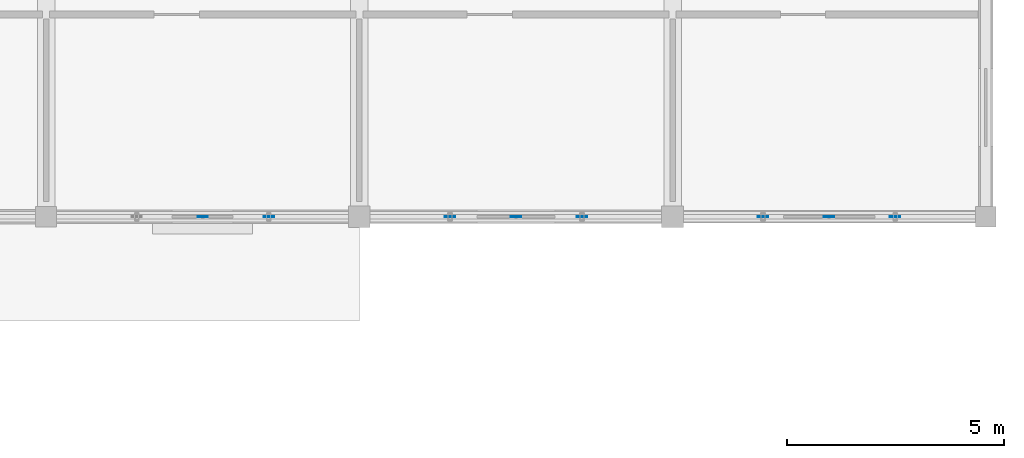
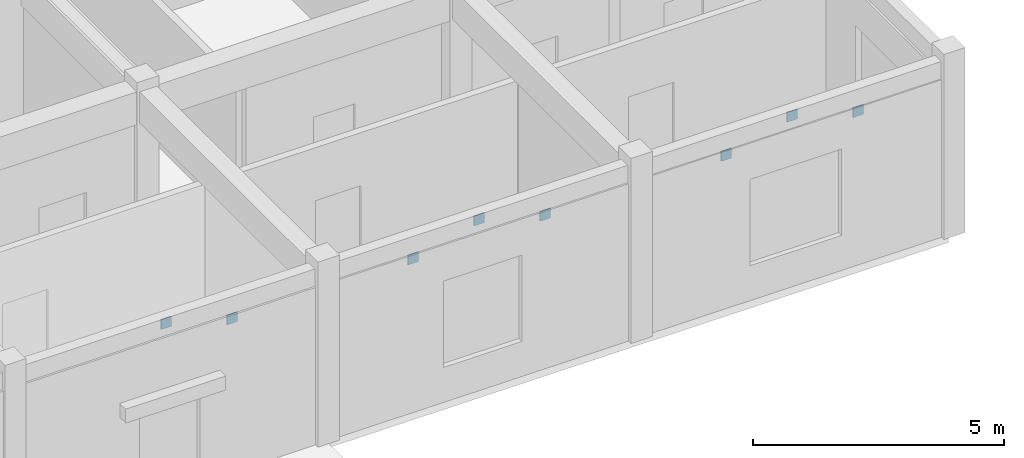
# One storey, part 75 of 138: 8 plates.
"""IFC4 building model written with IfcOpenShell, lengths in metres."""

from ifc_helpers import new_model, si_unit, direction, frame, origin, origin_2d, place, context, subcontext, project, spatial, rectangle, extrude, material, layer, layer_set, type_object, element, save


model = new_model("IFC4")

# Units and contexts
model_context = context("Model", 3, precision=1e-05, world=origin(), true_north=direction((0.0, 1.0)))
body_context = subcontext(model_context, "Body", "Model", "MODEL_VIEW")
ifc_project = project(units=[si_unit("LENGTHUNIT", "METRE"), si_unit("AREAUNIT", "SQUARE_METRE"), si_unit("VOLUMEUNIT", "CUBIC_METRE"), si_unit("PLANEANGLEUNIT", "RADIAN"), si_unit("MASSUNIT", "GRAM", prefix="KILO"), si_unit("THERMODYNAMICTEMPERATUREUNIT", "KELVIN"), si_unit("POWERUNIT", "WATT")], contexts=[model_context])

# Site, building, storey
site_placement = place(None, origin())
site = spatial("IfcSite", under=ifc_project, at=site_placement, CompositionType="ELEMENT")
building_placement = place(site_placement, origin())
building = spatial("IfcBuilding", under=site, at=building_placement, Name="Tavuni Mirador Residences", CompositionType="ELEMENT")
storey_placement = place(building_placement, origin())
storey = spatial("IfcBuildingStorey", under=building, at=storey_placement, Name="L00", CompositionType="ELEMENT", Elevation=0.0)

# Plates
ifc_material = material(Name="Structural steel S355", Category="steel")
ifc_layer = layer(ifc_material, 0.01806640625, Name="Structural steel S355", Category="steel")
ifc_layer_set = layer_set([ifc_layer], Name="Structural steel S355")
plate_type = type_object("IfcPlateType", Name="PLT-GP05", PredefinedType="USERDEFINED", material=ifc_layer_set)
for number, where, z_axis, x_axis, name in (
    (1, (100.800048828125, 43.199951171875, 3.93017578125), (0.0, 0.0, 1.0), (1.0, 0.0, 0.0), "ARCH-NURS-S-01-GCR"),
    (2, (102.318115234375, 43.199951171875, 3.509765625), (0.0, 0.0, 1.0), (1.0, 0.0, 0.0), "ARCH-NURS-S-01-GQ2"),
    (3, (106.48193359375, 43.199951171875, 3.509765625), (0.0, 0.0, 1.0), (1.0, 0.0, 0.0), "ARCH-NURS-S-02-GQ1"),
    (4, (108.0, 43.199951171875, 3.93017578125), (0.0, 0.0, 1.0), (1.0, 0.0, 0.0), "ARCH-NURS-S-02-GCR"),
    (5, (109.51806640625, 43.199951171875, 3.509765625), (0.0, 0.0, 1.0), (1.0, 0.0, 0.0), "ARCH-NURS-S-02-GQ2"),
    (6, (113.681884765625, 43.199951171875, 3.509765625), (0.0, 0.0, 1.0), (1.0, 0.0, 0.0), "ARCH-NURS-S-03-GQ1"),
    (7, (115.199951171875, 43.199951171875, 3.93017578125), (0.0, 0.0, 1.0), (1.0, 0.0, 0.0), "ARCH-NURS-S-03-GCR"),
    (8, (116.718017578125, 43.199951171875, 3.509765625), (0.0, 0.0, 1.0), (1.0, 0.0, 0.0), "ARCH-NURS-S-03-GQ2"),
):
    element("IfcPlate", number, at=place(storey_placement, frame(where, z_axis=z_axis, x_axis=x_axis)), inside=storey, type_object=plate_type, Name=name, ObjectType="GUSSET PLATE", PredefinedType="USERDEFINED", context=body_context, shape_type="SweptSolid", body=[
        extrude(rectangle(XDim=0.239990234375, YDim=0.02001953125, at=origin_2d()), origin(), (0.0, 0.0, 1.0), 0.239990234375),
    ])

save(model, "model.ifc")
